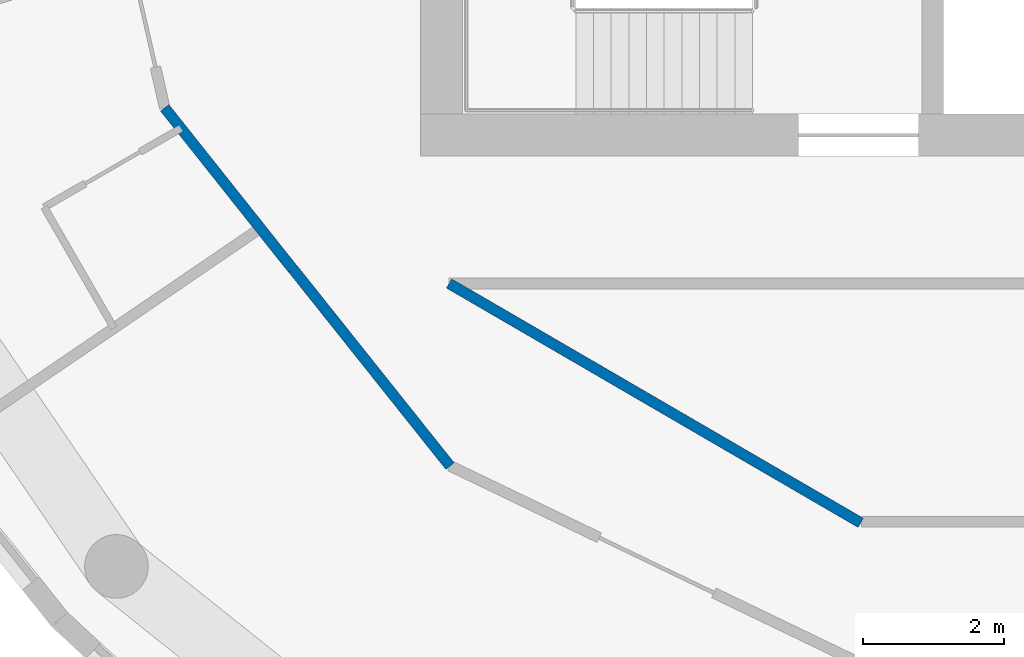
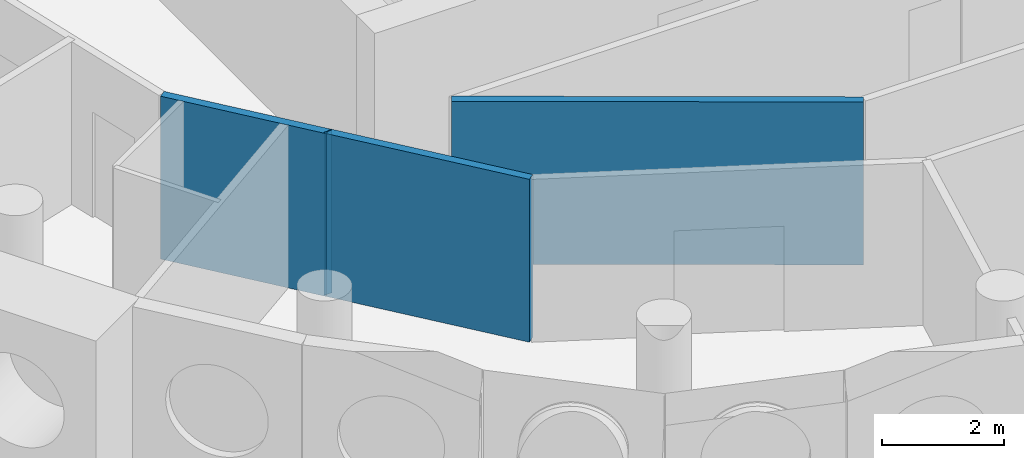
# One storey, part 3 of 13: 4 walls.
"""IFC4 building model written with IfcOpenShell, lengths in metres."""

import ifcopenshell
import ifcopenshell.guid

model = None  # the IFC model being written
_history = None  # IfcOwnerHistory: only IFC2X3 demands one
_inside = {}  # id of a spatial element -> (the spatial element, [elements in it])
_under = {}  # id of a project, library or spatial element -> (it, [spatial elements below it])
_declared = {}  # id of a project -> (the project, [libraries it declares])
_typed = {}  # id of a type object -> (the type object, [elements of that type])
_made_of = {}  # id of a material, layer set ... -> (it, [elements and type objects made of it])


def new_model(schema):
    """Start an empty IFC model of exactly this schema.

    Asked for "IFC4X3", IfcOpenShell would pick the latest addendum, in which some entities
    have other attributes; the version numbers below select the first issue.
    IFC2X3 requires an IfcOwnerHistory on every rooted entity: one is made here for all.
    """
    global model, _history
    if schema == "IFC4X3":
        model = ifcopenshell.file(schema_version=(4, 3, 0, 0))
    else:
        model = ifcopenshell.file(schema=schema)
    _inside.clear()
    _under.clear()
    _declared.clear()
    _typed.clear()
    _made_of.clear()
    _history = None
    if model.schema == "IFC2X3":
        org = make("IfcOrganization", Name="unknown")
        user = make(
            "IfcPersonAndOrganization",
            ThePerson=make("IfcPerson", FamilyName="unknown"),
            TheOrganization=org,
        )
        app = make(
            "IfcApplication",
            ApplicationDeveloper=org,
            Version="unknown",
            ApplicationFullName="unknown",
            ApplicationIdentifier="unknown",
        )
        _history = make(
            "IfcOwnerHistory",
            OwningUser=user,
            OwningApplication=app,
            ChangeAction="ADDED",
            CreationDate=0,
        )
    return model


def make(cls, **values):
    """One entity of the class cls with the attributes given. An attribute that is None is left unset."""
    return model.create_entity(
        cls, **{name: value for name, value in values.items() if value is not None}
    )


def rooted(cls, **values):
    """An entity with a GlobalId (a new one), such as an element, a storey or a relation."""
    return make(cls, GlobalId=ifcopenshell.guid.new(), OwnerHistory=_history, **values)


def si_unit(unit_type, name, prefix=None):
    """IfcSIUnit, for example si_unit("LENGTHUNIT", "METRE", prefix="MILLI")."""
    return make("IfcSIUnit", UnitType=unit_type, Prefix=prefix, Name=name)


def assignment(units):
    """IfcUnitAssignment: the units of a project."""
    return None if units is None else make("IfcUnitAssignment", Units=units)


def point(xyz):
    """IfcCartesianPoint."""
    return None if xyz is None else make("IfcCartesianPoint", Coordinates=xyz)


def direction(xyz):
    """IfcDirection."""
    return None if xyz is None else make("IfcDirection", DirectionRatios=xyz)


def frame(location, z_axis=None, x_axis=None):
    """IfcAxis2Placement3D, a coordinate frame: its origin and axes. An axis left out is left unset."""
    return make(
        "IfcAxis2Placement3D",
        Location=point(location),
        Axis=direction(z_axis),
        RefDirection=direction(x_axis),
    )


def frame_2d(location, x_axis=None):
    """IfcAxis2Placement2D, a coordinate frame in the plane: its origin and x axis."""
    return make(
        "IfcAxis2Placement2D", Location=point(location), RefDirection=direction(x_axis)
    )


def origin():
    """The frame at (0, 0, 0) with its axes left unset."""
    return frame((0.0, 0.0, 0.0))


def place(relative_to, where):
    """IfcLocalPlacement: puts the frame where relative to a parent placement (None: the world)."""
    return make(
        "IfcLocalPlacement", PlacementRelTo=relative_to, RelativePlacement=where
    )


def context(
    kind, dimensions, precision=None, world=None, true_north=None, identifier=None
):
    """IfcGeometricRepresentationContext, for example the 3D "Model" context."""
    return make(
        "IfcGeometricRepresentationContext",
        ContextIdentifier=identifier,
        ContextType=kind,
        CoordinateSpaceDimension=dimensions,
        Precision=precision,
        WorldCoordinateSystem=world,
        TrueNorth=true_north,
    )


def subcontext(parent, identifier, kind, view, scale=None):
    """IfcGeometricRepresentationSubContext, for example "Body" below "Model"."""
    return make(
        "IfcGeometricRepresentationSubContext",
        ContextIdentifier=identifier,
        ContextType=kind,
        ParentContext=parent,
        TargetScale=scale,
        TargetView=view,
    )


def project(units=None, contexts=None):
    """IfcProject with its units and contexts."""
    return rooted(
        "IfcProject",
        Name="project",
        RepresentationContexts=contexts,
        UnitsInContext=assignment(units),
    )


def spatial(cls, under=None, at=None, **own):
    """A site, building, storey or space (cls), placed at a placement, below another one or the project."""
    s = rooted(cls, ObjectPlacement=at, **own)
    if under is not None:
        _under.setdefault(under.id(), (under, []))[1].append(s)
    return s


def profile(cls, at=None, kind="AREA", **sizes):
    """A parametric profile (cls). Its sizes go by their IFC names, for example OverallWidth=200.0."""
    return make(cls, ProfileType=kind, Position=at, **sizes)


def rectangle(**sizes):
    """IfcRectangleProfileDef."""
    return profile("IfcRectangleProfileDef", **sizes)


def extrude(swept, where, along, depth):
    """IfcExtrudedAreaSolid: the profile swept, set in the frame where, extruded along a direction by depth."""
    return make(
        "IfcExtrudedAreaSolid",
        SweptArea=swept,
        Position=where,
        ExtrudedDirection=direction(along),
        Depth=depth,
    )


def shape(context_of_items, identifier, shape_type, items):
    """IfcShapeRepresentation: the items that make up one representation, for example the "Body"."""
    return make(
        "IfcShapeRepresentation",
        ContextOfItems=context_of_items,
        RepresentationIdentifier=identifier,
        RepresentationType=shape_type,
        Items=items,
    )


def material(Name=None, Category=None):
    """IfcMaterial."""
    return make("IfcMaterial", Name=Name, Category=Category)


def layer(
    of_material, thickness, ventilated=None, Name=None, Category=None, Priority=None
):
    """IfcMaterialLayer: one layer of a wall or slab, of a material (None: an air gap)."""
    return make(
        "IfcMaterialLayer",
        Material=of_material,
        LayerThickness=thickness,
        IsVentilated=ventilated,
        Name=Name,
        Category=Category,
        Priority=Priority,
    )


def layer_set(layers, Name=None):
    """IfcMaterialLayerSet."""
    return make("IfcMaterialLayerSet", MaterialLayers=layers, LayerSetName=Name)


def made_of(thing, what):
    """Note that an element or type object is made of a material, layer set ...; save() writes the relation."""
    if what is not None:
        _made_of.setdefault(what.id(), (what, []))[1].append(thing)
    return thing


def type_object(cls, material=None, **own):
    """A type object (cls), such as IfcWallType, which elements share."""
    return made_of(rooted(cls, **own), material)


def element(
    cls,
    number,
    at=None,
    inside=None,
    cuts=None,
    type_object=None,
    material=None,
    context=None,
    identifier="Body",
    shape_type=None,
    held_by="IfcProductDefinitionShape",
    body=None,
    shapes=None,
    **own,
):
    """One element of the class cls, such as IfcWall. Its Tag is "e" and its number.

    at: its placement. inside: the storey or other place that contains it. cuts: it is an
    opening in that element (IfcRelVoidsElement). A single representation is given by context,
    identifier, shape_type and body (its items); several are given by shapes. held_by: the class
    of the entity that holds the representations. save() writes the other relations.
    """
    e = rooted(cls, Tag="e%d" % number, ObjectPlacement=at, **own)
    if body is not None:
        shapes = [shape(context, identifier, shape_type, body)]
    if shapes is not None:
        e.Representation = make(held_by, Representations=shapes)
    if inside is not None:
        _inside.setdefault(inside.id(), (inside, []))[1].append(e)
    if cuts is not None:
        rooted(
            "IfcRelVoidsElement", RelatingBuildingElement=cuts, RelatedOpeningElement=e
        )
    if type_object is not None:
        _typed.setdefault(type_object.id(), (type_object, []))[1].append(e)
    return made_of(e, material)


def aggregate(whole, parts):
    """IfcRelAggregates: a whole, such as a stair, and the parts it consists of."""
    return rooted("IfcRelAggregates", RelatingObject=whole, RelatedObjects=parts)


def save(model, path):
    """Write the relations noted so far, then the file.

    IfcRelAggregates (storeys below a building ...), IfcRelContainedInSpatialStructure (elements
    in a storey), IfcRelDefinesByType, IfcRelAssociatesMaterial and IfcRelDeclares: one each for
    every whole, place, type object, material and project.
    """
    for whole, parts in _under.values():
        aggregate(whole, parts)
    for where, things in _inside.values():
        rooted(
            "IfcRelContainedInSpatialStructure",
            RelatedElements=things,
            RelatingStructure=where,
        )
    for kind, things in _typed.values():
        rooted("IfcRelDefinesByType", RelatedObjects=things, RelatingType=kind)
    for what, things in _made_of.values():
        rooted("IfcRelAssociatesMaterial", RelatedObjects=things, RelatingMaterial=what)
    for by, libraries in _declared.values():
        rooted("IfcRelDeclares", RelatingContext=by, RelatedDefinitions=libraries)
    model.write(path)


model = new_model("IFC4")

# Units and contexts
model_context = context("Model", 3, precision=1e-05, world=origin(), true_north=direction((0.0, 1.0)))
body_context = subcontext(model_context, "Body", "Model", "MODEL_VIEW")
ifc_project = project(units=[si_unit("LENGTHUNIT", "METRE"), si_unit("AREAUNIT", "SQUARE_METRE"), si_unit("VOLUMEUNIT", "CUBIC_METRE"), si_unit("PLANEANGLEUNIT", "RADIAN"), si_unit("MASSUNIT", "GRAM", prefix="KILO")], contexts=[model_context])

# Site, building, storey
site_placement = place(None, origin())
site = spatial("IfcSite", under=ifc_project, at=site_placement, CompositionType="ELEMENT")
building_placement = place(site_placement, origin())
building = spatial("IfcBuilding", under=site, at=building_placement, Name="Tracery Tower", CompositionType="ELEMENT")
storey_placement = place(building_placement, frame((0.0, 0.0, 309.0)))
storey = spatial("IfcBuildingStorey", under=building, at=storey_placement, Name="L80", CompositionType="ELEMENT", Elevation=309.0)

# Walls
ifc_material = material(Name="Plasterboard on steel studs", Category="steel")
ifc_layer = layer(ifc_material, 0.14990234375)
ifc_layer_set = layer_set([ifc_layer], Name="Partition 150 corridor wall")
wall_type = type_object("IfcWallType", Name="Partition 150 corridor wall", PredefinedType="PARTITIONING", material=ifc_layer_set)
wall_1_placement = place(storey_placement, frame((-9.092041015625, -8.800048828125, 0.0), z_axis=(0.0, 0.0, 1.0), x_axis=(0.864470922103, -0.502682827277, 0.0)))
element("IfcWall", 1, at=wall_1_placement, inside=storey, type_object=wall_type, Name="Corridor wall RC8-013", PredefinedType="PARTITIONING", context=body_context, shape_type="SweptSolid", body=[
    extrude(rectangle(XDim=6.7353515625, YDim=0.14990234375, at=frame_2d((3.36767578125, 0.0))), origin(), (0.0, 0.0, 1.0), 3.25),
])
wall_2_placement = place(storey_placement, frame((-11.300048828125, -8.59619140625, 0.0), z_axis=(0.0, 0.0, 1.0), x_axis=(0.623165080354, -0.782090328944, 0.0)))
element("IfcWall", 2, at=wall_2_placement, inside=storey, type_object=wall_type, Name="Corridor wall RC8-014", PredefinedType="PARTITIONING", context=body_context, shape_type="SweptSolid", body=[
    extrude(rectangle(XDim=3.56396484375, YDim=0.14990234375, at=frame_2d((1.781982421875, 0.0))), origin(), (0.0, 0.0, 1.0), 3.25),
])
wall_3_placement = place(storey_placement, frame((-11.300048828125, -8.59619140625, 0.0), z_axis=(0.0, 0.0, 1.0), x_axis=(0.0, 1.0, 0.0)))
element("IfcWall", 3, at=wall_3_placement, inside=storey, type_object=wall_type, Name="Corridor wall RC8-016", PredefinedType="PARTITIONING", context=body_context, shape_type="SweptSolid", body=[
    extrude(rectangle(XDim=0.00927734375, YDim=0.14990234375, at=frame_2d((0.004638671875, 0.0))), origin(), (0.0, 0.0, 1.0), 3.25),
])
wall_4_placement = place(storey_placement, frame((-13.114990234375, -6.31591796875, 0.0), z_axis=(0.0, 0.0, 1.0), x_axis=(0.622042479172, -0.782983495423, 0.0)))
element("IfcWall", 4, at=wall_4_placement, inside=storey, type_object=wall_type, Name="Corridor wall RC8-036", PredefinedType="PARTITIONING", context=body_context, shape_type="SweptSolid", body=[
    extrude(rectangle(XDim=2.9111328125, YDim=0.14990234375, at=frame_2d((1.45556640625, 0.0))), origin(), (0.0, 0.0, 1.0), 3.25),
])

save(model, "model.ifc")
